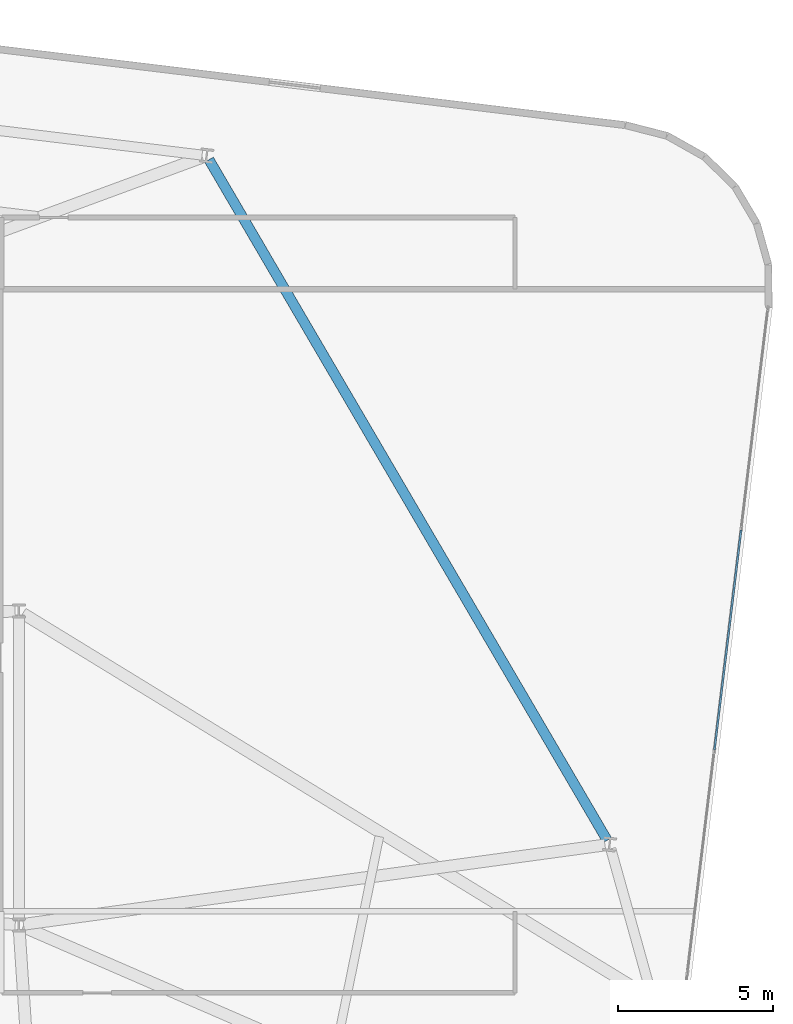
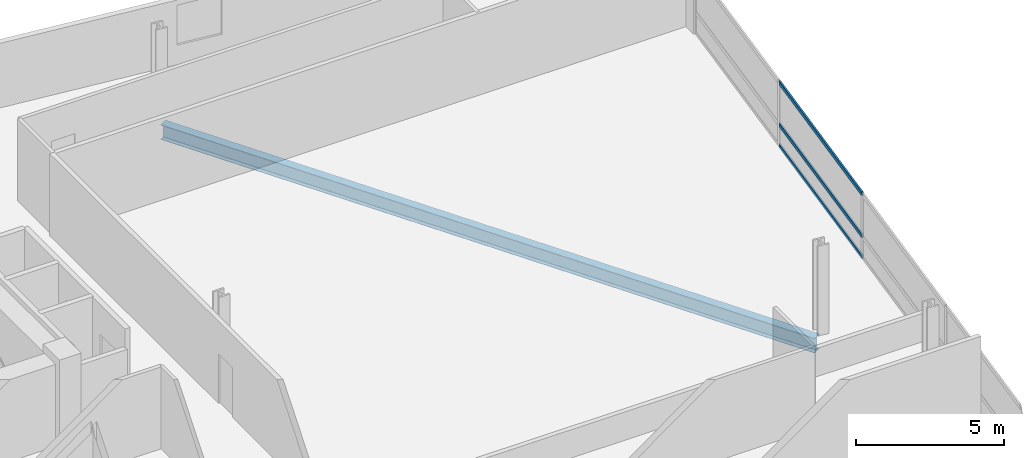
# One storey, part 17 of 26: 3 members, 1 beam, 1 element without a shape of its own.
"""IFC4 building model written with IfcOpenShell, lengths in metres."""

from ifc_helpers import new_model, si_unit, direction, frame, origin, origin_2d, place, context, subcontext, project, spatial, hollow_rectangle, i_section, extrude, material, layer, layer_set, material_profile, profile_set, type_object, element, aggregate, save


model = new_model("IFC4")

# Units and contexts
model_context = context("Model", 3, precision=1e-05, world=origin(), true_north=direction((0.0, 1.0)))
body_context = subcontext(model_context, "Body", "Model", "MODEL_VIEW")
ifc_project = project(units=[si_unit("LENGTHUNIT", "METRE"), si_unit("AREAUNIT", "SQUARE_METRE"), si_unit("VOLUMEUNIT", "CUBIC_METRE"), si_unit("PLANEANGLEUNIT", "RADIAN"), si_unit("MASSUNIT", "GRAM", prefix="KILO")], contexts=[model_context])

# Site, building, storey
site_placement = place(None, origin())
site = spatial("IfcSite", under=ifc_project, at=site_placement, CompositionType="ELEMENT")
building_placement = place(site_placement, origin())
building = spatial("IfcBuilding", under=site, at=building_placement, Name="Varnelok Gate Tower", CompositionType="ELEMENT")
storey_placement = place(building_placement, frame((0.0, 0.0, 158.699951171875)))
storey = spatial("IfcBuildingStorey", under=building, at=storey_placement, Name="L40", CompositionType="ELEMENT", Elevation=158.699951171875)

# Beam
ifc_material_1 = material(Name="Structural Steel ASTM A992 Grade 50", Category="steel")
ifc_material_profile_1 = material_profile(ifc_material_1, i_section(OverallWidth=0.323974609375, OverallDepth=0.611083984375, WebThickness=0.0126953125, FlangeThickness=0.01904296875, FilletRadius=0.01806640625, at=origin_2d()), Name="W24X104")
ifc_profile_set_1 = profile_set([ifc_material_profile_1], Name="Structural Steel ASTM A992 Grade 50")
beam_type = type_object("IfcBeamType", Name="BM-SPN-W24X104", PredefinedType="SPANDREL", material=ifc_profile_set_1)
beam_placement = place(storey_placement, frame((72.96875, 21.528076171875, -0.555419921875), z_axis=(-0.504960797965, 0.863142278259, 0.0), x_axis=(-0.863142278259, -0.504960797965, 0.0)))
element("IfcBeam", 1, at=beam_placement, inside=storey, type_object=beam_type, Name="L40 Perimeter Spandrel Beam 8", PredefinedType="SPANDREL", context=body_context, shape_type="SweptSolid", body=[
    extrude(i_section(OverallWidth=0.323974609375, OverallDepth=0.611083984375, WebThickness=0.0126953125, FlangeThickness=0.01904296875, FilletRadius=0.01806640625, at=origin_2d()), origin(), (0.0, 0.0, 1.0), 25.425537109375),
])

# Curtain wall, members
ifc_material_2 = material(Name="Anodized Aluminum Alloy 6063-T6", Category="aluminium")
ifc_layer = layer(ifc_material_2, 0.179931640625)
ifc_layer_set = layer_set([ifc_layer], Name="Anodized Aluminum Alloy 6063-T6")
curtain_wall_type = type_object("IfcCurtainWallType", Name="CW3-HOTEL-VISION", PredefinedType="USERDEFINED", material=ifc_layer_set)
curtain_wall_placement = place(storey_placement, origin())
curtain_wall = element("IfcCurtainWall", 2, at=curtain_wall_placement, inside=storey, type_object=curtain_wall_type, Name="L40 East End Vision Curtain Wall", ObjectType="UNITISED CURTAIN WALL", PredefinedType="USERDEFINED")
ifc_material_profile_2 = material_profile(ifc_material_2, hollow_rectangle(XDim=0.06494140625, YDim=0.159912109375, WallThickness=0.00390625, at=origin_2d()), Name="ALU160X65X4")
ifc_profile_set_2 = profile_set([ifc_material_profile_2], Name="Anodized Aluminum Alloy 6063-T6")
member_type = type_object("IfcMemberType", Name="CW-TRAN-160", PredefinedType="USERDEFINED", material=ifc_profile_set_2)
member_1_placement = place(storey_placement, frame((77.286376953125, 31.529296875, 0.032470703125), z_axis=(-0.120340564253, -0.992732667235, 0.0), x_axis=(0.992732667235, -0.120340564253, 0.0)))
member_1 = element("IfcMember", 3, at=member_1_placement, type_object=member_type, Name="CW3 transom 2.1", ObjectType="TRANSOM", PredefinedType="USERDEFINED", context=body_context, shape_type="SweptSolid", body=[
    extrude(hollow_rectangle(XDim=0.06494140625, YDim=0.159912109375, WallThickness=0.00390625, at=origin_2d()), origin(), (0.0, 0.0, 1.0), 7.135009765625),
])
member_2_placement = place(storey_placement, frame((77.286376953125, 31.529296875, 0.900146484375), z_axis=(-0.120340564253, -0.992732667235, 0.0), x_axis=(0.992732667235, -0.120340564253, 0.0)))
member_2 = element("IfcMember", 4, at=member_2_placement, type_object=member_type, Name="CW3 transom 2.2", ObjectType="TRANSOM", PredefinedType="USERDEFINED", context=body_context, shape_type="SweptSolid", body=[
    extrude(hollow_rectangle(XDim=0.06494140625, YDim=0.159912109375, WallThickness=0.00390625, at=origin_2d()), origin(), (0.0, 0.0, 1.0), 7.135009765625),
])
member_3_placement = place(storey_placement, frame((77.286376953125, 31.529296875, 2.62744140625), z_axis=(-0.120340564253, -0.992732667235, 0.0), x_axis=(0.992732667235, -0.120340564253, 0.0)))
member_3 = element("IfcMember", 5, at=member_3_placement, type_object=member_type, Name="CW3 transom 2.3", ObjectType="TRANSOM", PredefinedType="USERDEFINED", context=body_context, shape_type="SweptSolid", body=[
    extrude(hollow_rectangle(XDim=0.06494140625, YDim=0.159912109375, WallThickness=0.00390625, at=origin_2d()), origin(), (0.0, 0.0, 1.0), 7.135009765625),
])
aggregate(curtain_wall, [member_1, member_2, member_3])

save(model, "model.ifc")
